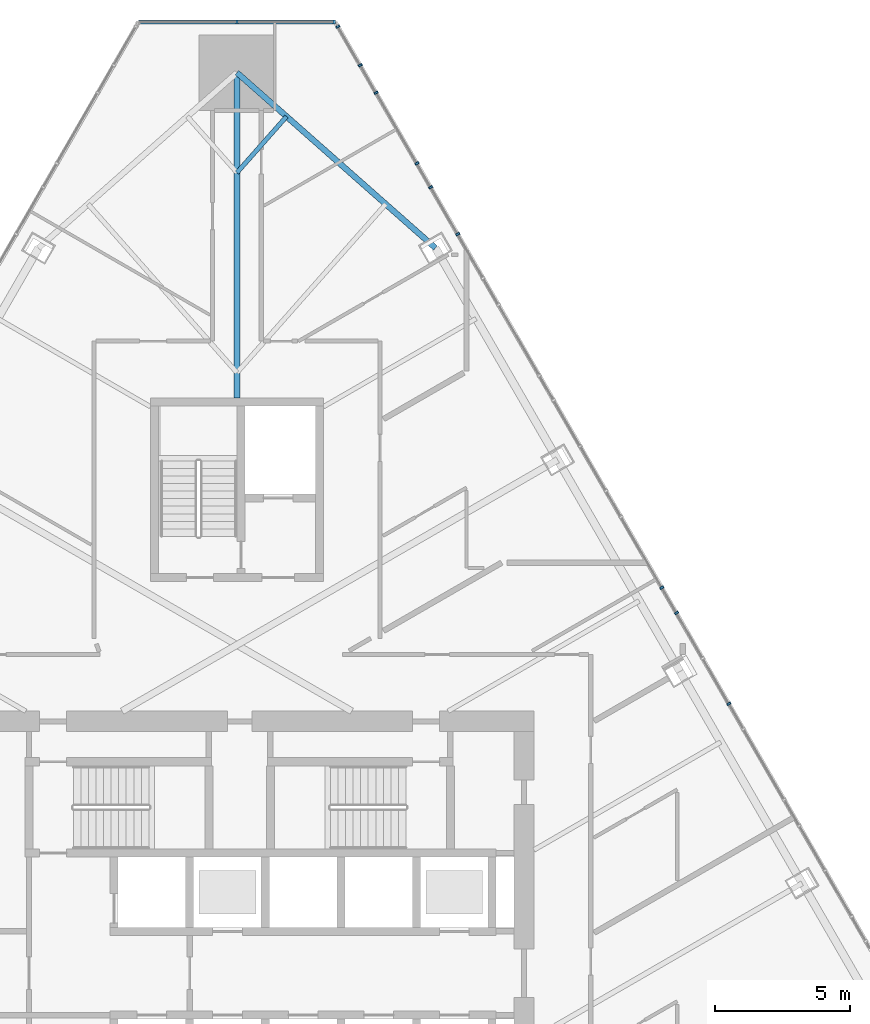
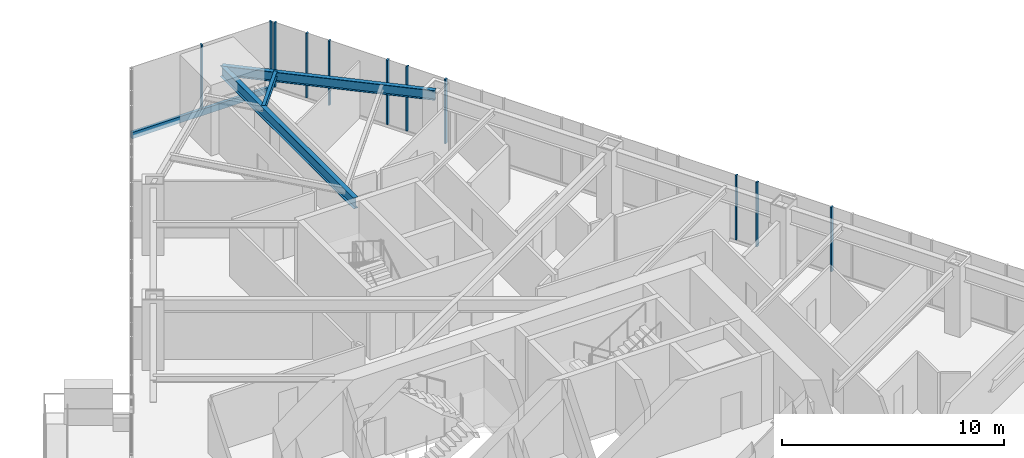
# One storey, part 13 of 32: 12 members, 3 beams, 2 elements without a shape of their own.
"""IFC4 building model written with IfcOpenShell, lengths in metres."""

import ifcopenshell
import ifcopenshell.guid

model = None  # the IFC model being written
_history = None  # IfcOwnerHistory: only IFC2X3 demands one
_inside = {}  # id of a spatial element -> (the spatial element, [elements in it])
_under = {}  # id of a project, library or spatial element -> (it, [spatial elements below it])
_declared = {}  # id of a project -> (the project, [libraries it declares])
_typed = {}  # id of a type object -> (the type object, [elements of that type])
_made_of = {}  # id of a material, layer set ... -> (it, [elements and type objects made of it])


def new_model(schema):
    """Start an empty IFC model of exactly this schema.

    Asked for "IFC4X3", IfcOpenShell would pick the latest addendum, in which some entities
    have other attributes; the version numbers below select the first issue.
    IFC2X3 requires an IfcOwnerHistory on every rooted entity: one is made here for all.
    """
    global model, _history
    if schema == "IFC4X3":
        model = ifcopenshell.file(schema_version=(4, 3, 0, 0))
    else:
        model = ifcopenshell.file(schema=schema)
    _inside.clear()
    _under.clear()
    _declared.clear()
    _typed.clear()
    _made_of.clear()
    _history = None
    if model.schema == "IFC2X3":
        org = make("IfcOrganization", Name="unknown")
        user = make(
            "IfcPersonAndOrganization",
            ThePerson=make("IfcPerson", FamilyName="unknown"),
            TheOrganization=org,
        )
        app = make(
            "IfcApplication",
            ApplicationDeveloper=org,
            Version="unknown",
            ApplicationFullName="unknown",
            ApplicationIdentifier="unknown",
        )
        _history = make(
            "IfcOwnerHistory",
            OwningUser=user,
            OwningApplication=app,
            ChangeAction="ADDED",
            CreationDate=0,
        )
    return model


def make(cls, **values):
    """One entity of the class cls with the attributes given. An attribute that is None is left unset."""
    return model.create_entity(
        cls, **{name: value for name, value in values.items() if value is not None}
    )


def rooted(cls, **values):
    """An entity with a GlobalId (a new one), such as an element, a storey or a relation."""
    return make(cls, GlobalId=ifcopenshell.guid.new(), OwnerHistory=_history, **values)


def si_unit(unit_type, name, prefix=None):
    """IfcSIUnit, for example si_unit("LENGTHUNIT", "METRE", prefix="MILLI")."""
    return make("IfcSIUnit", UnitType=unit_type, Prefix=prefix, Name=name)


def assignment(units):
    """IfcUnitAssignment: the units of a project."""
    return None if units is None else make("IfcUnitAssignment", Units=units)


def point(xyz):
    """IfcCartesianPoint."""
    return None if xyz is None else make("IfcCartesianPoint", Coordinates=xyz)


def direction(xyz):
    """IfcDirection."""
    return None if xyz is None else make("IfcDirection", DirectionRatios=xyz)


def frame(location, z_axis=None, x_axis=None):
    """IfcAxis2Placement3D, a coordinate frame: its origin and axes. An axis left out is left unset."""
    return make(
        "IfcAxis2Placement3D",
        Location=point(location),
        Axis=direction(z_axis),
        RefDirection=direction(x_axis),
    )


def frame_2d(location, x_axis=None):
    """IfcAxis2Placement2D, a coordinate frame in the plane: its origin and x axis."""
    return make(
        "IfcAxis2Placement2D", Location=point(location), RefDirection=direction(x_axis)
    )


def origin():
    """The frame at (0, 0, 0) with its axes left unset."""
    return frame((0.0, 0.0, 0.0))


def origin_2d():
    """The frame at (0, 0) in the plane with its x axis left unset."""
    return frame_2d((0.0, 0.0))


def place(relative_to, where):
    """IfcLocalPlacement: puts the frame where relative to a parent placement (None: the world)."""
    return make(
        "IfcLocalPlacement", PlacementRelTo=relative_to, RelativePlacement=where
    )


def context(
    kind, dimensions, precision=None, world=None, true_north=None, identifier=None
):
    """IfcGeometricRepresentationContext, for example the 3D "Model" context."""
    return make(
        "IfcGeometricRepresentationContext",
        ContextIdentifier=identifier,
        ContextType=kind,
        CoordinateSpaceDimension=dimensions,
        Precision=precision,
        WorldCoordinateSystem=world,
        TrueNorth=true_north,
    )


def subcontext(parent, identifier, kind, view, scale=None):
    """IfcGeometricRepresentationSubContext, for example "Body" below "Model"."""
    return make(
        "IfcGeometricRepresentationSubContext",
        ContextIdentifier=identifier,
        ContextType=kind,
        ParentContext=parent,
        TargetScale=scale,
        TargetView=view,
    )


def project(units=None, contexts=None):
    """IfcProject with its units and contexts."""
    return rooted(
        "IfcProject",
        Name="project",
        RepresentationContexts=contexts,
        UnitsInContext=assignment(units),
    )


def spatial(cls, under=None, at=None, **own):
    """A site, building, storey or space (cls), placed at a placement, below another one or the project."""
    s = rooted(cls, ObjectPlacement=at, **own)
    if under is not None:
        _under.setdefault(under.id(), (under, []))[1].append(s)
    return s


def profile(cls, at=None, kind="AREA", **sizes):
    """A parametric profile (cls). Its sizes go by their IFC names, for example OverallWidth=200.0."""
    return make(cls, ProfileType=kind, Position=at, **sizes)


def rectangle(**sizes):
    """IfcRectangleProfileDef."""
    return profile("IfcRectangleProfileDef", **sizes)


def i_section(**sizes):
    """IfcIShapeProfileDef."""
    return profile("IfcIShapeProfileDef", **sizes)


def extrude(swept, where, along, depth):
    """IfcExtrudedAreaSolid: the profile swept, set in the frame where, extruded along a direction by depth."""
    return make(
        "IfcExtrudedAreaSolid",
        SweptArea=swept,
        Position=where,
        ExtrudedDirection=direction(along),
        Depth=depth,
    )


def shape(context_of_items, identifier, shape_type, items):
    """IfcShapeRepresentation: the items that make up one representation, for example the "Body"."""
    return make(
        "IfcShapeRepresentation",
        ContextOfItems=context_of_items,
        RepresentationIdentifier=identifier,
        RepresentationType=shape_type,
        Items=items,
    )


def material(Name=None, Category=None):
    """IfcMaterial."""
    return make("IfcMaterial", Name=Name, Category=Category)


def layer(
    of_material, thickness, ventilated=None, Name=None, Category=None, Priority=None
):
    """IfcMaterialLayer: one layer of a wall or slab, of a material (None: an air gap)."""
    return make(
        "IfcMaterialLayer",
        Material=of_material,
        LayerThickness=thickness,
        IsVentilated=ventilated,
        Name=Name,
        Category=Category,
        Priority=Priority,
    )


def layer_set(layers, Name=None):
    """IfcMaterialLayerSet."""
    return make("IfcMaterialLayerSet", MaterialLayers=layers, LayerSetName=Name)


def material_profile(
    of_material, cross_section, Name=None, Category=None, Priority=None
):
    """IfcMaterialProfile: a cross section and its material."""
    return make(
        "IfcMaterialProfile",
        Name=Name,
        Material=of_material,
        Profile=cross_section,
        Priority=Priority,
        Category=Category,
    )


def profile_set(profiles, Name=None, composite=None):
    """IfcMaterialProfileSet."""
    return make(
        "IfcMaterialProfileSet",
        Name=Name,
        MaterialProfiles=profiles,
        CompositeProfile=composite,
    )


def made_of(thing, what):
    """Note that an element or type object is made of a material, layer set ...; save() writes the relation."""
    if what is not None:
        _made_of.setdefault(what.id(), (what, []))[1].append(thing)
    return thing


def type_object(cls, material=None, **own):
    """A type object (cls), such as IfcWallType, which elements share."""
    return made_of(rooted(cls, **own), material)


def element(
    cls,
    number,
    at=None,
    inside=None,
    cuts=None,
    type_object=None,
    material=None,
    context=None,
    identifier="Body",
    shape_type=None,
    held_by="IfcProductDefinitionShape",
    body=None,
    shapes=None,
    **own,
):
    """One element of the class cls, such as IfcWall. Its Tag is "e" and its number.

    at: its placement. inside: the storey or other place that contains it. cuts: it is an
    opening in that element (IfcRelVoidsElement). A single representation is given by context,
    identifier, shape_type and body (its items); several are given by shapes. held_by: the class
    of the entity that holds the representations. save() writes the other relations.
    """
    e = rooted(cls, Tag="e%d" % number, ObjectPlacement=at, **own)
    if body is not None:
        shapes = [shape(context, identifier, shape_type, body)]
    if shapes is not None:
        e.Representation = make(held_by, Representations=shapes)
    if inside is not None:
        _inside.setdefault(inside.id(), (inside, []))[1].append(e)
    if cuts is not None:
        rooted(
            "IfcRelVoidsElement", RelatingBuildingElement=cuts, RelatedOpeningElement=e
        )
    if type_object is not None:
        _typed.setdefault(type_object.id(), (type_object, []))[1].append(e)
    return made_of(e, material)


def aggregate(whole, parts):
    """IfcRelAggregates: a whole, such as a stair, and the parts it consists of."""
    return rooted("IfcRelAggregates", RelatingObject=whole, RelatedObjects=parts)


def save(model, path):
    """Write the relations noted so far, then the file.

    IfcRelAggregates (storeys below a building ...), IfcRelContainedInSpatialStructure (elements
    in a storey), IfcRelDefinesByType, IfcRelAssociatesMaterial and IfcRelDeclares: one each for
    every whole, place, type object, material and project.
    """
    for whole, parts in _under.values():
        aggregate(whole, parts)
    for where, things in _inside.values():
        rooted(
            "IfcRelContainedInSpatialStructure",
            RelatedElements=things,
            RelatingStructure=where,
        )
    for kind, things in _typed.values():
        rooted("IfcRelDefinesByType", RelatedObjects=things, RelatingType=kind)
    for what, things in _made_of.values():
        rooted("IfcRelAssociatesMaterial", RelatedObjects=things, RelatingMaterial=what)
    for by, libraries in _declared.values():
        rooted("IfcRelDeclares", RelatingContext=by, RelatedDefinitions=libraries)
    model.write(path)


model = new_model("IFC4")

# Units and contexts
model_context = context("Model", 3, precision=1e-05, world=origin(), true_north=direction((0.0, 1.0)))
body_context = subcontext(model_context, "Body", "Model", "MODEL_VIEW")
ifc_project = project(units=[si_unit("LENGTHUNIT", "METRE"), si_unit("AREAUNIT", "SQUARE_METRE"), si_unit("VOLUMEUNIT", "CUBIC_METRE"), si_unit("PLANEANGLEUNIT", "RADIAN"), si_unit("MASSUNIT", "GRAM", prefix="KILO")], contexts=[model_context])

# Site, building, storey
site_placement = place(None, origin())
site = spatial("IfcSite", under=ifc_project, at=site_placement, CompositionType="ELEMENT")
building_placement = place(site_placement, origin())
building = spatial("IfcBuilding", under=site, at=building_placement, Name="Firuza Gate Tower and Library", CompositionType="ELEMENT")
storey_placement = place(building_placement, frame((0.0, 0.0, 163.60009765625)))
storey = spatial("IfcBuildingStorey", under=building, at=storey_placement, Name="L37", CompositionType="ELEMENT", Elevation=163.60009765625)

# Curtain wall, members
ifc_material_1 = material(Name="Aluminium 6063-T6", Category="aluminium")
ifc_layer_1 = layer(ifc_material_1, 0.14990234375)
ifc_layer_set_1 = layer_set([ifc_layer_1], Name="Unitised curtain wall, hotel")
curtain_wall_type_1 = type_object("IfcCurtainWallType", Name="Unitised curtain wall, hotel", PredefinedType="NOTDEFINED", material=ifc_layer_set_1)
placement = place(storey_placement, origin())
curtain_wall_1 = element("IfcCurtainWall", 1, at=placement, inside=storey, type_object=curtain_wall_type_1, Name="CW2 L37 E face", PredefinedType="NOTDEFINED")
ifc_material_2 = material(Name="Aluminium 6063-T6", Category="aluminium")
ifc_material_profile_1 = material_profile(ifc_material_2, rectangle(XDim=0.14990234375, YDim=0.080078125, at=origin_2d()))
ifc_profile_set_1 = profile_set([ifc_material_profile_1], Name="Aluminium 6063-T6")
member_type_1 = type_object("IfcMemberType", Name="Curtain wall mullion 80x150", PredefinedType="MULLION", material=ifc_profile_set_1)
member_1_placement = place(storey_placement, frame((90.734619140625, 87.57470703125, 0.14990234375), z_axis=(0.0, 0.0, 1.0), x_axis=(-0.866025403784, -0.5, 0.0)))
member_1 = element("IfcMember", 2, at=member_1_placement, type_object=member_type_1, Name="Mullion", PredefinedType="MULLION", context=body_context, shape_type="SweptSolid", body=[
    extrude(rectangle(XDim=0.14990234375, YDim=0.080078125, at=origin_2d()), origin(), (0.0, 0.0, 1.0), 3.550048828125),
])
member_2_placement = place(storey_placement, frame((83.177490234375, 100.663818359375, 0.14990234375), z_axis=(0.0, 0.0, 1.0), x_axis=(-0.866025403784, -0.5, 0.0)))
member_2 = element("IfcMember", 3, at=member_2_placement, type_object=member_type_1, Name="Mullion", PredefinedType="MULLION", context=body_context, shape_type="SweptSolid", body=[
    extrude(rectangle(XDim=0.14990234375, YDim=0.080078125, at=origin_2d()), origin(), (0.0, 0.0, 1.0), 3.550048828125),
])
member_3_placement = place(storey_placement, frame((81.666015625, 103.28173828125, 0.14990234375), z_axis=(0.0, 0.0, 1.0), x_axis=(-0.866025403784, -0.5, 0.0)))
member_3 = element("IfcMember", 4, at=member_3_placement, type_object=member_type_1, Name="Mullion", PredefinedType="MULLION", context=body_context, shape_type="SweptSolid", body=[
    extrude(rectangle(XDim=0.14990234375, YDim=0.080078125, at=origin_2d()), origin(), (0.0, 0.0, 1.0), 3.550048828125),
])
member_4_placement = place(storey_placement, frame((80.15478515625, 105.8994140625, 0.14990234375), z_axis=(0.0, 0.0, 1.0), x_axis=(-0.866025403784, -0.5, 0.0)))
member_4 = element("IfcMember", 5, at=member_4_placement, type_object=member_type_1, Name="Mullion", PredefinedType="MULLION", context=body_context, shape_type="SweptSolid", body=[
    extrude(rectangle(XDim=0.14990234375, YDim=0.080078125, at=origin_2d()), origin(), (0.0, 0.0, 1.0), 3.550048828125),
])
member_5_placement = place(storey_placement, frame((93.216552734375, 83.275634765625, 0.14990234375), z_axis=(0.0, 0.0, 1.0), x_axis=(-0.866025403784, -0.5, 0.0)))
member_5 = element("IfcMember", 6, at=member_5_placement, type_object=member_type_1, Name="Mullion", PredefinedType="MULLION", context=body_context, shape_type="SweptSolid", body=[
    extrude(rectangle(XDim=0.14990234375, YDim=0.080078125, at=origin_2d()), origin(), (0.0, 0.0, 1.0), 3.550048828125),
])
member_6_placement = place(storey_placement, frame((91.275146484375, 86.63818359375, 0.14990234375), z_axis=(0.0, 0.0, 1.0), x_axis=(-0.866025403784, -0.5, 0.0)))
member_6 = element("IfcMember", 7, at=member_6_placement, type_object=member_type_1, Name="Mullion", PredefinedType="MULLION", context=body_context, shape_type="SweptSolid", body=[
    extrude(rectangle(XDim=0.14990234375, YDim=0.080078125, at=origin_2d()), origin(), (0.0, 0.0, 1.0), 3.550048828125),
])
member_7_placement = place(storey_placement, frame((82.17529296875, 102.39990234375, 0.14990234375), z_axis=(0.0, 0.0, 1.0), x_axis=(-0.866025403784, -0.5, 0.0)))
member_7 = element("IfcMember", 8, at=member_7_placement, type_object=member_type_1, Name="Mullion", PredefinedType="MULLION", context=body_context, shape_type="SweptSolid", body=[
    extrude(rectangle(XDim=0.14990234375, YDim=0.080078125, at=origin_2d()), origin(), (0.0, 0.0, 1.0), 3.550048828125),
])
member_8_placement = place(storey_placement, frame((79.566650390625, 106.91796875, 0.14990234375), z_axis=(0.0, 0.0, 1.0), x_axis=(-0.866025403784, -0.5, 0.0)))
member_8 = element("IfcMember", 9, at=member_8_placement, type_object=member_type_1, Name="Mullion", PredefinedType="MULLION", context=body_context, shape_type="SweptSolid", body=[
    extrude(rectangle(XDim=0.14990234375, YDim=0.080078125, at=origin_2d()), origin(), (0.0, 0.0, 1.0), 3.550048828125),
])
member_9_placement = place(storey_placement, frame((78.73974609375, 108.35009765625, 0.14990234375), z_axis=(0.0, 0.0, 1.0), x_axis=(-0.866025403784, -0.5, 0.0)))
member_9 = element("IfcMember", 10, at=member_9_placement, type_object=member_type_1, Name="Mullion", PredefinedType="MULLION", context=body_context, shape_type="SweptSolid", body=[
    extrude(rectangle(XDim=0.14990234375, YDim=0.080078125, at=origin_2d()), origin(), (0.0, 0.0, 1.0), 3.550048828125),
])
aggregate(curtain_wall_1, [member_1, member_2, member_3, member_4, member_5, member_6, member_7, member_8, member_9])

ifc_material_3 = material(Name="Aluminium 6063-T6", Category="aluminium")
ifc_layer_2 = layer(ifc_material_3, 0.14990234375)
ifc_layer_set_2 = layer_set([ifc_layer_2], Name="Corner curtain wall, chamfers")
curtain_wall_type_2 = type_object("IfcCurtainWallType", Name="Corner curtain wall, chamfers", PredefinedType="NOTDEFINED", material=ifc_layer_set_2)
curtain_wall_2 = element("IfcCurtainWall", 11, at=placement, inside=storey, type_object=curtain_wall_type_2, Name="CW4 L37 N corner", PredefinedType="NOTDEFINED")
member_10_placement = place(storey_placement, frame((78.603271484375, 108.517333984375, 0.14990234375), z_axis=(0.0, 0.0, 1.0), x_axis=(0.0, -1.0, 0.0)))
member_10 = element("IfcMember", 12, at=member_10_placement, type_object=member_type_1, Name="Mullion", PredefinedType="MULLION", context=body_context, shape_type="SweptSolid", body=[
    extrude(rectangle(XDim=0.14990234375, YDim=0.080078125, at=origin_2d()), origin(), (0.0, 0.0, 1.0), 3.550048828125),
])
member_11_placement = place(storey_placement, frame((75.0, 108.517333984375, 0.14990234375), z_axis=(0.0, 0.0, 1.0), x_axis=(0.0, -1.0, 0.0)))
member_11 = element("IfcMember", 13, at=member_11_placement, type_object=member_type_1, Name="Mullion", PredefinedType="MULLION", context=body_context, shape_type="SweptSolid", body=[
    extrude(rectangle(XDim=0.14990234375, YDim=0.080078125, at=origin_2d()), origin(), (0.0, 0.0, 1.0), 3.550048828125),
])
ifc_material_4 = material(Name="Aluminium 6063-T6", Category="aluminium")
ifc_material_profile_2 = material_profile(ifc_material_4, rectangle(XDim=0.14990234375, YDim=0.35009765625, at=origin_2d()))
ifc_profile_set_2 = profile_set([ifc_material_profile_2], Name="Aluminium 6063-T6")
member_type_2 = type_object("IfcMemberType", Name="Curtain wall transom 350x150", PredefinedType="USERDEFINED", material=ifc_profile_set_2)
member_12_placement = place(storey_placement, frame((78.643310546875, 108.517333984375, -0.025146484375), z_axis=(-1.0, 0.0, 0.0), x_axis=(0.0, -1.0, 0.0)))
member_12 = element("IfcMember", 14, at=member_12_placement, type_object=member_type_2, Name="Transom", ObjectType="TRANSOM", PredefinedType="USERDEFINED", context=body_context, shape_type="SweptSolid", body=[
    extrude(rectangle(XDim=0.14990234375, YDim=0.35009765625, at=origin_2d()), origin(), (0.0, 0.0, 1.0), 7.28662109375),
])
aggregate(curtain_wall_2, [member_10, member_11, member_12])

# Beams
ifc_material_5 = material(Name="Steel S355", Category="steel")
ifc_material_profile_3 = material_profile(ifc_material_5, i_section(OverallWidth=0.1650390625, OverallDepth=0.31005859375, WebThickness=0.005859375, FlangeThickness=0.009765625, at=origin_2d()))
ifc_profile_set_3 = profile_set([ifc_material_profile_3], Name="Steel S355")
beam_type_1 = type_object("IfcBeamType", Name="W310x39 Floor beam", PredefinedType="JOIST", material=ifc_profile_set_3)
beam_1_placement = place(storey_placement, frame((76.8369140625, 105.01953125, 3.544921875), z_axis=(-0.662110460261, -0.749406257255, 0.0), x_axis=(0.749406257255, -0.662110460261, 0.0)))
element("IfcBeam", 15, at=beam_1_placement, inside=storey, type_object=beam_type_1, Name="Floor beam L37 s61", PredefinedType="JOIST", context=body_context, shape_type="SweptSolid", body=[
    extrude(i_section(OverallWidth=0.1650390625, OverallDepth=0.31005859375, WebThickness=0.005859375, FlangeThickness=0.009765625, at=origin_2d()), origin(), (0.0, 0.0, 1.0), 2.7744140625),
])
ifc_material_6 = material(Name="Steel S355", Category="steel")
ifc_material_profile_4 = material_profile(ifc_material_6, i_section(OverallWidth=0.212890625, OverallDepth=0.5390625, WebThickness=0.01171875, FlangeThickness=0.018798828125, at=origin_2d()))
ifc_profile_set_4 = profile_set([ifc_material_profile_4], Name="Steel S355")
beam_type_2 = type_object("IfcBeamType", Name="W530x109 Edge beam", PredefinedType="SPANDREL", material=ifc_profile_set_4)
beam_2_placement = place(storey_placement, frame((82.34765625, 100.1513671875, 3.430419921875), z_axis=(-0.749446028543, 0.662065442612, 0.0), x_axis=(-0.662065442612, -0.749446028543, 0.0)))
element("IfcBeam", 16, at=beam_2_placement, inside=storey, type_object=beam_type_2, Name="Edge beam L37 e60", PredefinedType="SPANDREL", context=body_context, shape_type="SweptSolid", body=[
    extrude(i_section(OverallWidth=0.212890625, OverallDepth=0.5390625, WebThickness=0.01171875, FlangeThickness=0.018798828125, at=origin_2d()), origin(), (0.0, 0.0, 1.0), 9.80419921875),
])
ifc_material_7 = material(Name="Steel S355", Category="steel")
ifc_material_profile_5 = material_profile(ifc_material_7, i_section(OverallWidth=0.22802734375, OverallDepth=0.60302734375, WebThickness=0.010498046875, FlangeThickness=0.014892578125, at=origin_2d()))
ifc_profile_set_5 = profile_set([ifc_material_profile_5], Name="Steel S355")
beam_type_3 = type_object("IfcBeamType", Name="W610x101 Girder", PredefinedType="BEAM", material=ifc_profile_set_5)
beam_3_placement = place(storey_placement, frame((75.0, 106.642333984375, 3.3984375), z_axis=(0.0, -1.0, 0.0), x_axis=(1.0, 0.0, 0.0)))
element("IfcBeam", 17, at=beam_3_placement, inside=storey, type_object=beam_type_3, Name="Girder L37 gN", PredefinedType="BEAM", context=body_context, shape_type="SweptSolid", body=[
    extrude(i_section(OverallWidth=0.22802734375, OverallDepth=0.60302734375, WebThickness=0.010498046875, FlangeThickness=0.014892578125, at=origin_2d()), origin(), (0.0, 0.0, 1.0), 12.042236328125),
])

save(model, "model.ifc")
